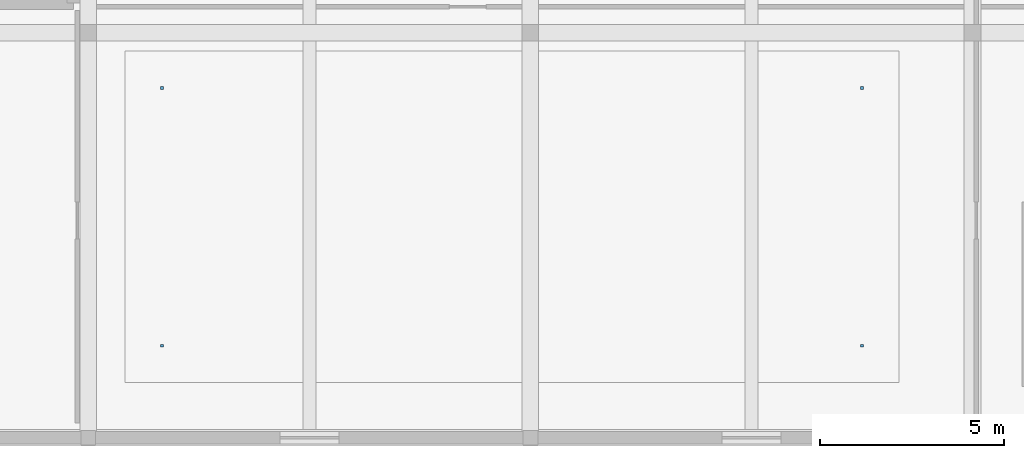
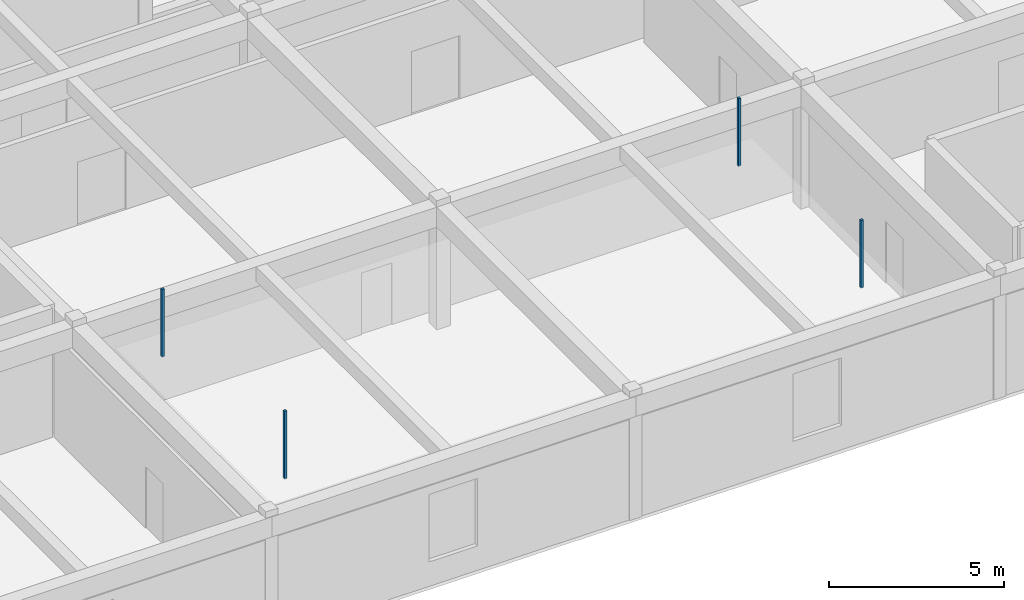
# One storey, part 14 of 15: 4 discrete accessories.
"""IFC4 building model written with IfcOpenShell, lengths in metres."""

from ifc_helpers import new_model, si_unit, derived_unit, direction, frame, origin, origin_2d, place, context, subcontext, project, spatial, rectangle, extrude, material, type_object, element, save


model = new_model("IFC4")

# Units and contexts
model_context = context("Model", 3, precision=1e-05, world=origin(), true_north=direction((0.0, 1.0)))
body_context = subcontext(model_context, "Body", "Model", "MODEL_VIEW")
ifc_project = project(units=[si_unit("LENGTHUNIT", "METRE"), si_unit("AREAUNIT", "SQUARE_METRE"), si_unit("VOLUMEUNIT", "CUBIC_METRE"), si_unit("PLANEANGLEUNIT", "RADIAN"), si_unit("MASSUNIT", "GRAM", prefix="KILO"), derived_unit("THERMALTRANSMITTANCEUNIT", [(si_unit("POWERUNIT", "WATT"), 1), (si_unit("LENGTHUNIT", "METRE"), -2), (si_unit("THERMODYNAMICTEMPERATUREUNIT", "KELVIN"), -1)])], contexts=[model_context])

# Site, building, storey
site_placement = place(None, origin())
site = spatial("IfcSite", under=ifc_project, at=site_placement, CompositionType="ELEMENT")
building_placement = place(site_placement, origin())
building = spatial("IfcBuilding", under=site, at=building_placement, Name="Almenara Railside Exhibition Hall", CompositionType="ELEMENT")
storey_placement = place(building_placement, frame((0.0, 0.0, 16.199951171875)))
storey = spatial("IfcBuildingStorey", under=building, at=storey_placement, Name="L03", CompositionType="ELEMENT", Elevation=16.199951171875)

# Discrete accessories
ifc_material = material(Name="Galvanised steel suspension bracket", Category="steel")
discrete_accessory_type = type_object("IfcDiscreteAccessoryType", Name="Ceiling Suspension Bracket Hanger", PredefinedType="BRACKET", material=ifc_material)
for number, where, z_axis, x_axis, name in (
    (1, (140.0, 2.5, 3.27978515625), (0.0, 0.0, 1.0), (1.0, 0.0, 0.0), "Ceiling suspension hanger 0029"),
    (2, (140.0, 9.5, 3.27978515625), (0.0, 0.0, 1.0), (1.0, 0.0, 0.0), "Ceiling suspension hanger 0030"),
    (3, (159.0, 2.5, 3.27978515625), (0.0, 0.0, 1.0), (1.0, 0.0, 0.0), "Ceiling suspension hanger 0031"),
    (4, (159.0, 9.5, 3.27978515625), (0.0, 0.0, 1.0), (1.0, 0.0, 0.0), "Ceiling suspension hanger 0032"),
):
    element("IfcDiscreteAccessory", number, at=place(storey_placement, frame(where, z_axis=z_axis, x_axis=x_axis)), inside=storey, type_object=discrete_accessory_type, Name=name, PredefinedType="BRACKET", context=body_context, shape_type="SweptSolid", body=[
        extrude(rectangle(XDim=0.080078125, YDim=0.080078125, at=origin_2d()), origin(), (0.0, 0.0, 1.0), 2.360107421875),
    ])

save(model, "model.ifc")
